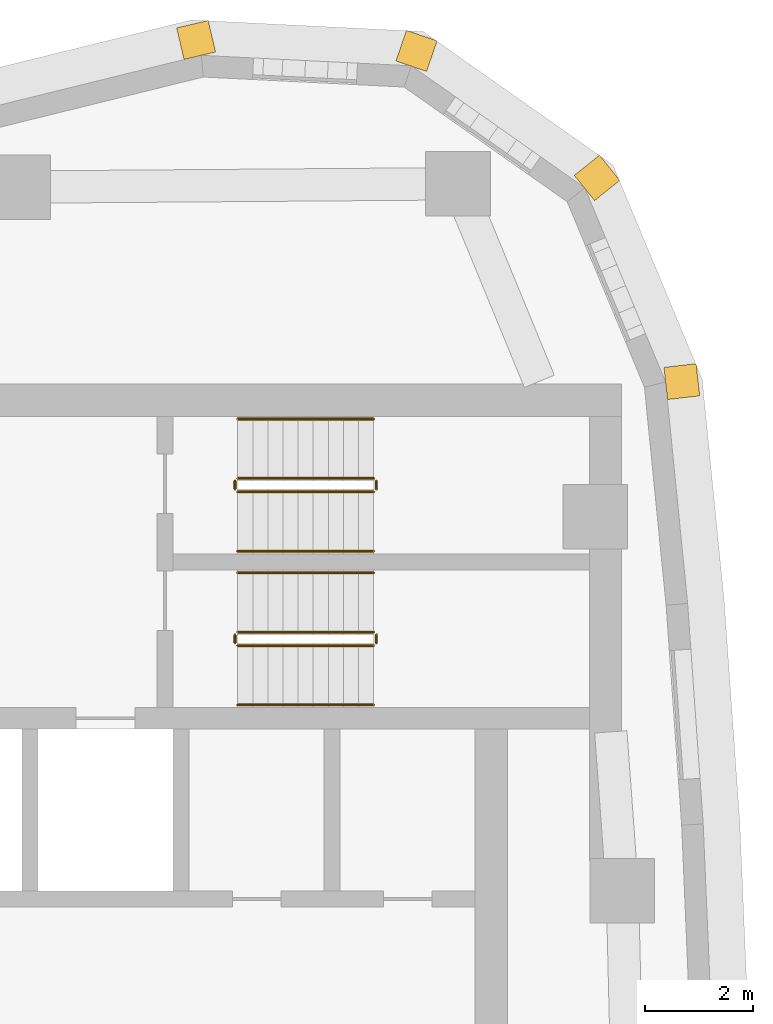
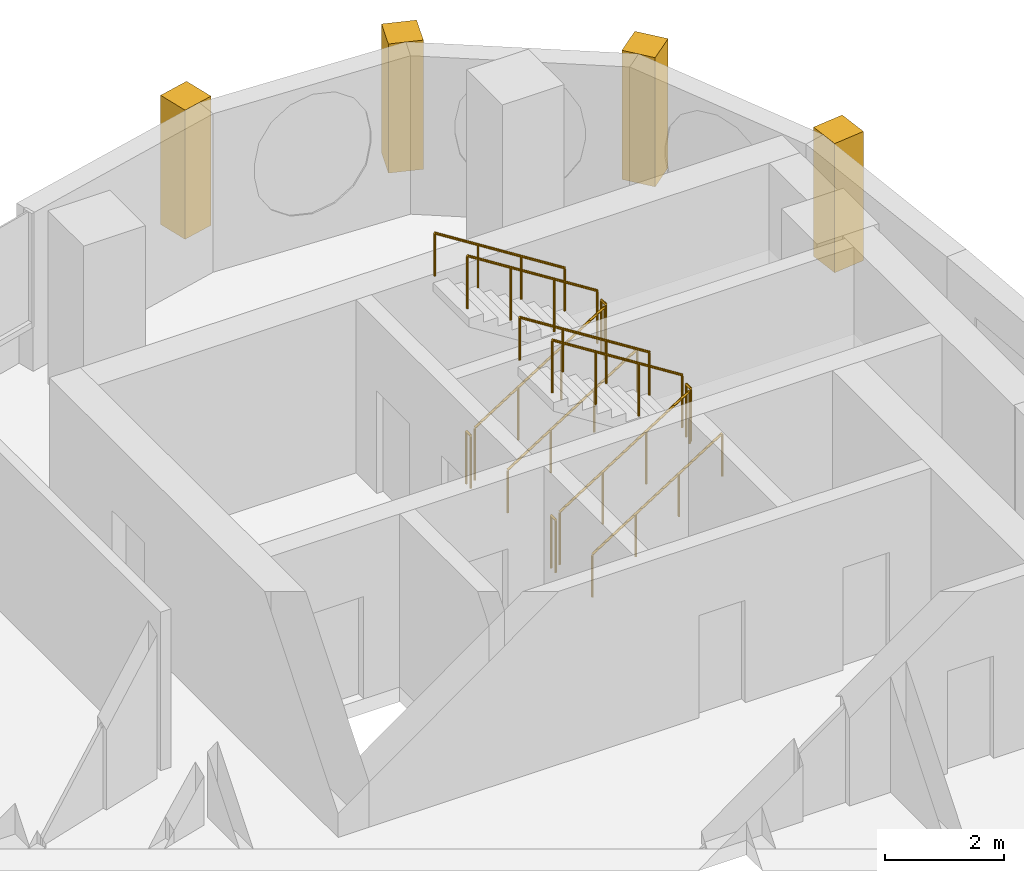
# One storey, part 16 of 16: 12 railings, 4 coverings.
"""IFC4 building model written with IfcOpenShell, lengths in metres."""

from ifc_helpers import new_model, si_unit, direction, frame, frame_2d, origin, origin_2d, place, context, subcontext, project, spatial, rectangle, circle, extrude, material, layer, layer_set, type_object, element, save


model = new_model("IFC4")

# Units and contexts
model_context = context("Model", 3, precision=1e-05, world=origin(), true_north=direction((0.0, 1.0)))
body_context = subcontext(model_context, "Body", "Model", "MODEL_VIEW")
ifc_project = project(units=[si_unit("LENGTHUNIT", "METRE"), si_unit("AREAUNIT", "SQUARE_METRE"), si_unit("VOLUMEUNIT", "CUBIC_METRE"), si_unit("PLANEANGLEUNIT", "RADIAN"), si_unit("MASSUNIT", "GRAM", prefix="KILO")], contexts=[model_context])

# Site, building, storey
site_placement = place(None, origin())
site = spatial("IfcSite", under=ifc_project, at=site_placement, CompositionType="ELEMENT")
building_placement = place(site_placement, origin())
building = spatial("IfcBuilding", under=site, at=building_placement, Name="Ostrand Prow Hotel Tower", CompositionType="ELEMENT")
storey_placement = place(building_placement, frame((0.0, 0.0, 227.89990234375)))
storey = spatial("IfcBuildingStorey", under=building, at=storey_placement, Name="L57", CompositionType="ELEMENT", Elevation=227.89990234375)

# Coverings
ifc_material_1 = material(Name="Limestone cladding", Category="masonry")
ifc_layer = layer(ifc_material_1, 0.60009765625)
ifc_layer_set = layer_set([ifc_layer], Name="Limestone cladding")
covering_type = type_object("IfcCoveringType", Name="Precast stone prow rib 600x600", PredefinedType="CLADDING", material=ifc_layer_set)
for number, where, z_axis, x_axis, name in (
    (1, (65.13623046875, 16.35986328125, 0.60009765625), (0.0, 0.0, 1.0), (0.993628058569, 0.112708833834, 0.0), "Stone corner rib 13a"),
    (2, (63.62744140625, 19.98291015625, 0.60009765625), (0.0, 0.0, 1.0), (0.779994736518, 0.625786074473, 0.0), "Stone corner rib 14a"),
    (3, (60.417236328125, 22.240966796875, 0.60009765625), (0.0, 0.0, 1.0), (0.325489086777, 0.945545797087, 0.0), "Stone corner rib 15a"),
    (4, (56.49755859375, 22.436279296875, 0.60009765625), (0.0, 0.0, 1.0), (-0.229878322855, 0.973219377469, 0.0), "Stone corner rib 15b"),
):
    element("IfcCovering", number, at=place(storey_placement, frame(where, z_axis=z_axis, x_axis=x_axis)), inside=storey, type_object=covering_type, Name=name, PredefinedType="CLADDING", context=body_context, shape_type="SweptSolid", body=[
        extrude(rectangle(XDim=0.60009765625, YDim=0.60009765625, at=frame_2d((0.300048828125, 0.0))), origin(), (0.0, 0.0, 1.0), 2.64990234375),
    ])

# Railings
ifc_material_2 = material(Name="Painted steel", Category="steel")
railing_type_1 = type_object("IfcRailingType", Name="Stair guard 1100", PredefinedType="GUARDRAIL", material=ifc_material_2)
railing_1_placement = place(storey_placement, frame((57.199951171875, 11.5, 0.177490234375)))
element("IfcRailing", 5, at=railing_1_placement, inside=storey, type_object=railing_type_1, Name="L57 ST1C stair guard 1", PredefinedType="GUARDRAIL", context=body_context, shape_type="SweptSolid", body=[
    extrude(circle(Radius=0.02392578125, at=origin_2d()), frame((0.0, 0.0, 1.076171875), z_axis=(0.84456994832, 0.0, 0.535445237532), x_axis=(0.0, 1.0, 0.0)), (0.0, 0.0, 1.0), 2.98388671875),
    extrude(circle(Radius=0.02099609375, at=origin_2d()), origin(), (0.0, 0.0, 1.0), 1.052001953125),
    extrude(circle(Radius=0.02099609375, at=origin_2d()), frame((0.840087890625, 0.0, 0.532470703125)), (0.0, 0.0, 1.0), 1.052001953125),
    extrude(circle(Radius=0.02099609375, at=origin_2d()), frame((1.679931640625, 0.0, 1.065185546875)), (0.0, 0.0, 1.0), 1.052001953125),
    extrude(circle(Radius=0.02099609375, at=origin_2d()), frame((2.52001953125, 0.0, 1.59765625)), (0.0, 0.0, 1.0), 1.052001953125),
])
railing_2_placement = place(storey_placement, frame((59.77001953125, 11.550048828125, 1.775146484375)))
element("IfcRailing", 6, at=railing_2_placement, inside=storey, type_object=railing_type_1, Name="L57 ST1C stair guard 2", PredefinedType="GUARDRAIL", context=body_context, shape_type="SweptSolid", body=[
    extrude(circle(Radius=0.02392578125, at=origin_2d()), frame((0.0, 0.0, 1.076171875), z_axis=(0.0, 1.0, 0.0), x_axis=(-1.0, 0.0, 0.0)), (0.0, 0.0, 1.0), 0.14990234375),
    extrude(circle(Radius=0.02099609375, at=origin_2d()), origin(), (0.0, 0.0, 1.0), 1.052001953125),
    extrude(circle(Radius=0.02099609375, at=origin_2d()), frame((0.0, 0.14990234375, 0.0)), (0.0, 0.0, 1.0), 1.052001953125),
])
railing_3_placement = place(storey_placement, frame((59.719970703125, 11.75, 1.95263671875)))
element("IfcRailing", 7, at=railing_3_placement, inside=storey, type_object=railing_type_1, Name="L57 ST1C stair guard 3", PredefinedType="GUARDRAIL", context=body_context, shape_type="SweptSolid", body=[
    extrude(circle(Radius=0.02392578125, at=origin_2d()), frame((0.0, 0.0, 1.076171875), z_axis=(-0.84460694969, 0.0, 0.535386869969), x_axis=(0.0, -1.0, 0.0)), (0.0, 0.0, 1.0), 2.983642578125),
    extrude(circle(Radius=0.02099609375, at=origin_2d()), origin(), (0.0, 0.0, 1.0), 1.052001953125),
    extrude(circle(Radius=0.02099609375, at=origin_2d()), frame((-0.840087890625, 0.0, 0.532470703125)), (0.0, 0.0, 1.0), 1.052001953125),
    extrude(circle(Radius=0.02099609375, at=origin_2d()), frame((-1.679931640625, 0.0, 1.06494140625)), (0.0, 0.0, 1.0), 1.052001953125),
    extrude(circle(Radius=0.02099609375, at=origin_2d()), frame((-2.52001953125, 0.0, 1.597412109375)), (0.0, 0.0, 1.0), 1.052001953125),
])
railing_4_placement = place(storey_placement, frame((57.14990234375, 11.550048828125, 0.0)))
element("IfcRailing", 8, at=railing_4_placement, inside=storey, type_object=railing_type_1, Name="L57 ST1C stair guard 4", PredefinedType="GUARDRAIL", context=body_context, shape_type="SweptSolid", body=[
    extrude(circle(Radius=0.02392578125, at=origin_2d()), frame((0.0, 0.0, 1.076171875), z_axis=(0.0, 1.0, 0.0), x_axis=(-1.0, 0.0, 0.0)), (0.0, 0.0, 1.0), 0.14990234375),
    extrude(circle(Radius=0.02099609375, at=origin_2d()), origin(), (0.0, 0.0, 1.0), 1.052001953125),
    extrude(circle(Radius=0.02099609375, at=origin_2d()), frame((0.0, 0.14990234375, 0.0)), (0.0, 0.0, 1.0), 1.052001953125),
])
railing_5_placement = place(storey_placement, frame((57.199951171875, 14.35009765625, 0.177490234375)))
element("IfcRailing", 9, at=railing_5_placement, inside=storey, type_object=railing_type_1, Name="L57 ST3C stair guard 1", PredefinedType="GUARDRAIL", context=body_context, shape_type="SweptSolid", body=[
    extrude(circle(Radius=0.02392578125, at=origin_2d()), frame((0.0, 0.0, 1.076171875), z_axis=(0.84456994832, 0.0, 0.535445237532), x_axis=(0.0, 1.0, 0.0)), (0.0, 0.0, 1.0), 2.98388671875),
    extrude(circle(Radius=0.02099609375, at=origin_2d()), origin(), (0.0, 0.0, 1.0), 1.052001953125),
    extrude(circle(Radius=0.02099609375, at=origin_2d()), frame((0.840087890625, 0.0, 0.532470703125)), (0.0, 0.0, 1.0), 1.052001953125),
    extrude(circle(Radius=0.02099609375, at=origin_2d()), frame((1.679931640625, 0.0, 1.065185546875)), (0.0, 0.0, 1.0), 1.052001953125),
    extrude(circle(Radius=0.02099609375, at=origin_2d()), frame((2.52001953125, 0.0, 1.59765625)), (0.0, 0.0, 1.0), 1.052001953125),
])
railing_6_placement = place(storey_placement, frame((59.77001953125, 14.39990234375, 1.775146484375)))
element("IfcRailing", 10, at=railing_6_placement, inside=storey, type_object=railing_type_1, Name="L57 ST3C stair guard 2", PredefinedType="GUARDRAIL", context=body_context, shape_type="SweptSolid", body=[
    extrude(circle(Radius=0.02392578125, at=origin_2d()), frame((0.0, 0.0, 1.076171875), z_axis=(0.0, 1.0, 0.0), x_axis=(-1.0, 0.0, 0.0)), (0.0, 0.0, 1.0), 0.150146484375),
    extrude(circle(Radius=0.02099609375, at=origin_2d()), origin(), (0.0, 0.0, 1.0), 1.052001953125),
    extrude(circle(Radius=0.02099609375, at=origin_2d()), frame((0.0, 0.150146484375, 0.0)), (0.0, 0.0, 1.0), 1.052001953125),
])
railing_7_placement = place(storey_placement, frame((59.719970703125, 14.60009765625, 1.95263671875)))
element("IfcRailing", 11, at=railing_7_placement, inside=storey, type_object=railing_type_1, Name="L57 ST3C stair guard 3", PredefinedType="GUARDRAIL", context=body_context, shape_type="SweptSolid", body=[
    extrude(circle(Radius=0.02392578125, at=origin_2d()), frame((0.0, 0.0, 1.076171875), z_axis=(-0.84460694969, 0.0, 0.535386869969), x_axis=(0.0, -1.0, 0.0)), (0.0, 0.0, 1.0), 2.983642578125),
    extrude(circle(Radius=0.02099609375, at=origin_2d()), origin(), (0.0, 0.0, 1.0), 1.052001953125),
    extrude(circle(Radius=0.02099609375, at=origin_2d()), frame((-0.840087890625, 0.0, 0.532470703125)), (0.0, 0.0, 1.0), 1.052001953125),
    extrude(circle(Radius=0.02099609375, at=origin_2d()), frame((-1.679931640625, 0.0, 1.06494140625)), (0.0, 0.0, 1.0), 1.052001953125),
    extrude(circle(Radius=0.02099609375, at=origin_2d()), frame((-2.52001953125, 0.0, 1.597412109375)), (0.0, 0.0, 1.0), 1.052001953125),
])
railing_8_placement = place(storey_placement, frame((57.14990234375, 14.39990234375, 0.0)))
element("IfcRailing", 12, at=railing_8_placement, inside=storey, type_object=railing_type_1, Name="L57 ST3C stair guard 4", PredefinedType="GUARDRAIL", context=body_context, shape_type="SweptSolid", body=[
    extrude(circle(Radius=0.02392578125, at=origin_2d()), frame((0.0, 0.0, 1.076171875), z_axis=(0.0, 1.0, 0.0), x_axis=(-1.0, 0.0, 0.0)), (0.0, 0.0, 1.0), 0.150146484375),
    extrude(circle(Radius=0.02099609375, at=origin_2d()), origin(), (0.0, 0.0, 1.0), 1.052001953125),
    extrude(circle(Radius=0.02099609375, at=origin_2d()), frame((0.0, 0.150146484375, 0.0)), (0.0, 0.0, 1.0), 1.052001953125),
])
ifc_material_3 = material(Name="Stainless steel", Category="steel")
railing_type_2 = type_object("IfcRailingType", Name="Stair handrail 900", PredefinedType="HANDRAIL", material=ifc_material_3)
railing_9_placement = place(storey_placement, frame((57.199951171875, 10.39990234375, 0.177490234375)))
element("IfcRailing", 13, at=railing_9_placement, inside=storey, type_object=railing_type_2, Name="L57 ST1C stair handrail 1", PredefinedType="HANDRAIL", context=body_context, shape_type="SweptSolid", body=[
    extrude(circle(Radius=0.02392578125, at=origin_2d()), frame((0.0, 0.0, 0.8759765625), z_axis=(0.84456994832, 0.0, 0.535445237532), x_axis=(0.0, 1.0, 0.0)), (0.0, 0.0, 1.0), 2.98388671875),
    extrude(circle(Radius=0.02099609375, at=origin_2d()), origin(), (0.0, 0.0, 1.0), 0.851806640625),
    extrude(circle(Radius=0.02099609375, at=origin_2d()), frame((0.840087890625, 0.0, 0.532470703125)), (0.0, 0.0, 1.0), 0.851806640625),
    extrude(circle(Radius=0.02099609375, at=origin_2d()), frame((1.679931640625, 0.0, 1.065185546875)), (0.0, 0.0, 1.0), 0.851806640625),
    extrude(circle(Radius=0.02099609375, at=origin_2d()), frame((2.52001953125, 0.0, 1.59765625)), (0.0, 0.0, 1.0), 0.851806640625),
])
railing_10_placement = place(storey_placement, frame((59.719970703125, 12.85009765625, 1.95263671875)))
element("IfcRailing", 14, at=railing_10_placement, inside=storey, type_object=railing_type_2, Name="L57 ST1C stair handrail 2", PredefinedType="HANDRAIL", context=body_context, shape_type="SweptSolid", body=[
    extrude(circle(Radius=0.02392578125, at=origin_2d()), frame((0.0, 0.0, 0.8759765625), z_axis=(-0.84460694969, 0.0, 0.535386869969), x_axis=(0.0, -1.0, 0.0)), (0.0, 0.0, 1.0), 2.983642578125),
    extrude(circle(Radius=0.02099609375, at=origin_2d()), origin(), (0.0, 0.0, 1.0), 0.851806640625),
    extrude(circle(Radius=0.02099609375, at=origin_2d()), frame((-0.840087890625, 0.0, 0.532470703125)), (0.0, 0.0, 1.0), 0.851806640625),
    extrude(circle(Radius=0.02099609375, at=origin_2d()), frame((-1.679931640625, 0.0, 1.06494140625)), (0.0, 0.0, 1.0), 0.851806640625),
    extrude(circle(Radius=0.02099609375, at=origin_2d()), frame((-2.52001953125, 0.0, 1.597412109375)), (0.0, 0.0, 1.0), 0.851806640625),
])
railing_11_placement = place(storey_placement, frame((57.199951171875, 13.25, 0.177490234375)))
element("IfcRailing", 15, at=railing_11_placement, inside=storey, type_object=railing_type_2, Name="L57 ST3C stair handrail 1", PredefinedType="HANDRAIL", context=body_context, shape_type="SweptSolid", body=[
    extrude(circle(Radius=0.02392578125, at=origin_2d()), frame((0.0, 0.0, 0.8759765625), z_axis=(0.84456994832, 0.0, 0.535445237532), x_axis=(0.0, 1.0, 0.0)), (0.0, 0.0, 1.0), 2.98388671875),
    extrude(circle(Radius=0.02099609375, at=origin_2d()), origin(), (0.0, 0.0, 1.0), 0.851806640625),
    extrude(circle(Radius=0.02099609375, at=origin_2d()), frame((0.840087890625, 0.0, 0.532470703125)), (0.0, 0.0, 1.0), 0.851806640625),
    extrude(circle(Radius=0.02099609375, at=origin_2d()), frame((1.679931640625, 0.0, 1.065185546875)), (0.0, 0.0, 1.0), 0.851806640625),
    extrude(circle(Radius=0.02099609375, at=origin_2d()), frame((2.52001953125, 0.0, 1.59765625)), (0.0, 0.0, 1.0), 0.851806640625),
])
railing_12_placement = place(storey_placement, frame((59.719970703125, 15.699951171875, 1.95263671875)))
element("IfcRailing", 16, at=railing_12_placement, inside=storey, type_object=railing_type_2, Name="L57 ST3C stair handrail 2", PredefinedType="HANDRAIL", context=body_context, shape_type="SweptSolid", body=[
    extrude(circle(Radius=0.02392578125, at=origin_2d()), frame((0.0, 0.0, 0.8759765625), z_axis=(-0.84460694969, 0.0, 0.535386869969), x_axis=(0.0, -1.0, 0.0)), (0.0, 0.0, 1.0), 2.983642578125),
    extrude(circle(Radius=0.02099609375, at=origin_2d()), origin(), (0.0, 0.0, 1.0), 0.851806640625),
    extrude(circle(Radius=0.02099609375, at=origin_2d()), frame((-0.840087890625, 0.0, 0.532470703125)), (0.0, 0.0, 1.0), 0.851806640625),
    extrude(circle(Radius=0.02099609375, at=origin_2d()), frame((-1.679931640625, 0.0, 1.06494140625)), (0.0, 0.0, 1.0), 0.851806640625),
    extrude(circle(Radius=0.02099609375, at=origin_2d()), frame((-2.52001953125, 0.0, 1.597412109375)), (0.0, 0.0, 1.0), 0.851806640625),
])

save(model, "model.ifc")
